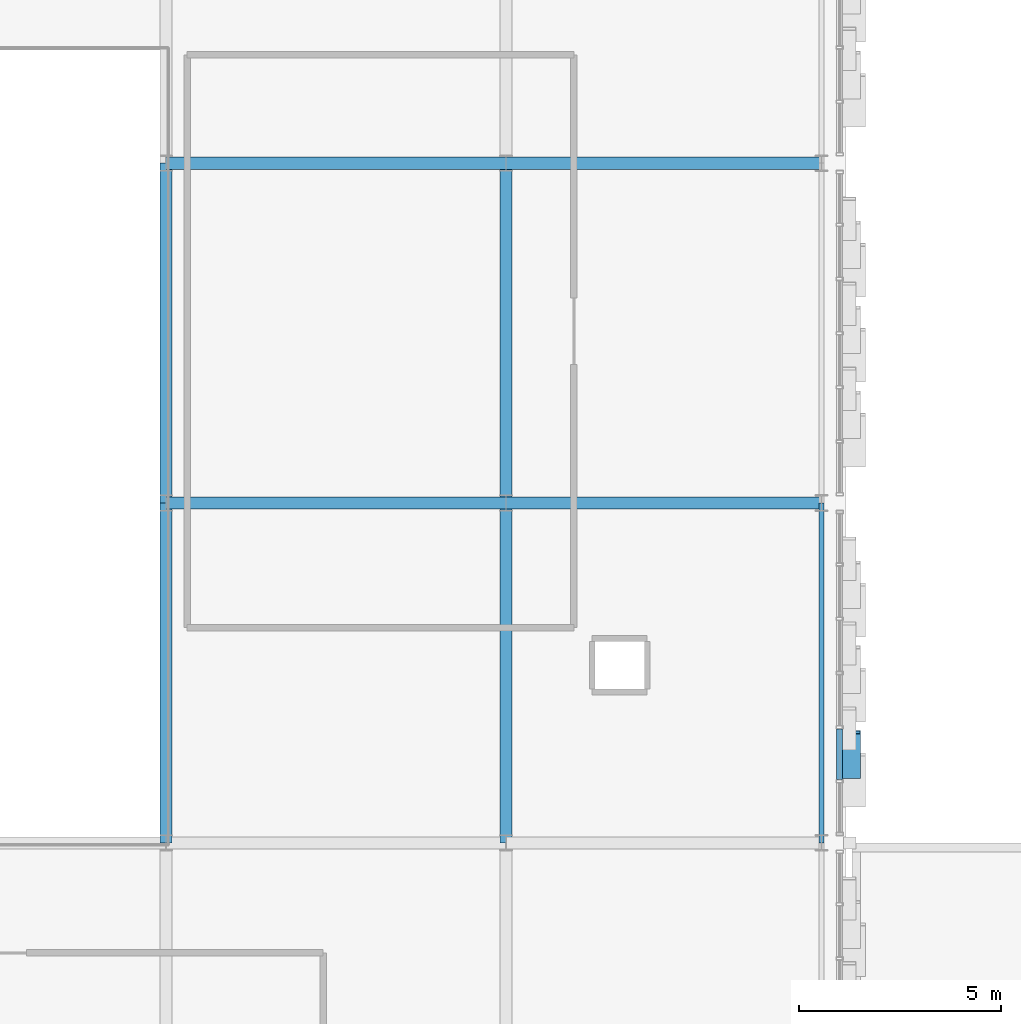
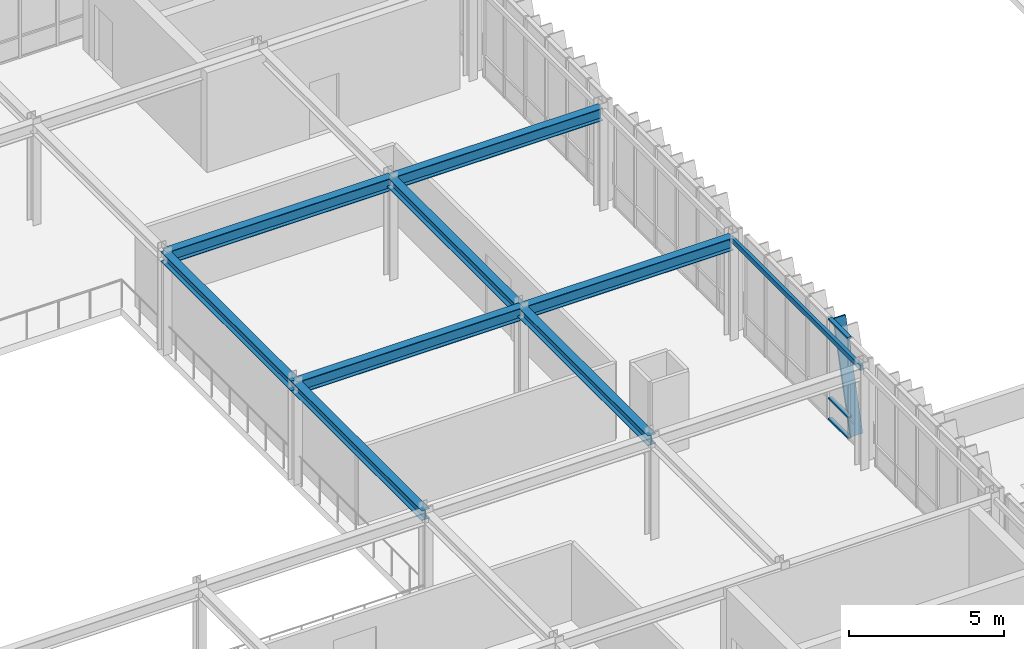
# One storey, part 54 of 123: 9 beams, 4 members, 1 element without a shape of its own.
"""IFC4 building model written with IfcOpenShell, lengths in metres."""

from ifc_helpers import new_model, si_unit, direction, frame, origin, origin_2d, place, context, subcontext, project, spatial, hollow_rectangle, i_section, extrude, material, layer, layer_set, material_profile, profile_set, type_object, element, aggregate, save


model = new_model("IFC4")

# Units and contexts
model_context = context("Model", 3, precision=1e-05, world=origin(), true_north=direction((0.0, 1.0)))
body_context = subcontext(model_context, "Body", "Model", "MODEL_VIEW")
ifc_project = project(units=[si_unit("LENGTHUNIT", "METRE"), si_unit("AREAUNIT", "SQUARE_METRE"), si_unit("VOLUMEUNIT", "CUBIC_METRE"), si_unit("PLANEANGLEUNIT", "RADIAN"), si_unit("MASSUNIT", "GRAM", prefix="KILO")], contexts=[model_context])

# Site, building, storey
site_placement = place(None, origin())
site = spatial("IfcSite", under=ifc_project, at=site_placement, CompositionType="ELEMENT")
building_placement = place(site_placement, origin())
building = spatial("IfcBuilding", under=site, at=building_placement, Name="Zayran Congress Hotel", CompositionType="ELEMENT")
storey_placement = place(building_placement, frame((0.0, 0.0, 15.0)))
storey = spatial("IfcBuildingStorey", under=building, at=storey_placement, Name="L03", CompositionType="ELEMENT", Elevation=15.0)

# Beams
ifc_material_1 = material(Name="Steel S355", Category="steel")
ifc_material_profile_1 = material_profile(ifc_material_1, i_section(OverallWidth=0.300048828125, OverallDepth=0.489990234375, WebThickness=0.011962890625, FlangeThickness=0.02294921875, at=origin_2d()), Name="HEA 500")
ifc_profile_set_1 = profile_set([ifc_material_profile_1], Name="Steel S355")
beam_type_1 = type_object("IfcBeamType", Name="TP-BM-05", PredefinedType="BEAM", material=ifc_profile_set_1)
beam_1_placement = place(storey_placement, frame((75.60009765625, 92.800048828125, 3.735107421875), z_axis=(1.0, 0.0, 0.0), x_axis=(0.0, 1.0, 0.0)))
element("IfcBeam", 1, at=beam_1_placement, inside=storey, type_object=beam_type_1, Name="BM-V1-L03-0823", PredefinedType="BEAM", context=body_context, shape_type="SweptSolid", body=[
    extrude(i_section(OverallWidth=0.300048828125, OverallDepth=0.489990234375, WebThickness=0.011962890625, FlangeThickness=0.02294921875, at=origin_2d()), origin(), (0.0, 0.0, 1.0), 8.39990234375),
])
beam_2_placement = place(storey_placement, frame((84.0, 92.800048828125, 3.735107421875), z_axis=(1.0, 0.0, 0.0), x_axis=(0.0, 1.0, 0.0)))
element("IfcBeam", 2, at=beam_2_placement, inside=storey, type_object=beam_type_1, Name="BM-V1-L03-0824", PredefinedType="BEAM", context=body_context, shape_type="SweptSolid", body=[
    extrude(i_section(OverallWidth=0.300048828125, OverallDepth=0.489990234375, WebThickness=0.011962890625, FlangeThickness=0.02294921875, at=origin_2d()), origin(), (0.0, 0.0, 1.0), 7.800048828125),
])
beam_3_placement = place(storey_placement, frame((75.60009765625, 101.199951171875, 3.735107421875), z_axis=(1.0, 0.0, 0.0), x_axis=(0.0, 1.0, 0.0)))
element("IfcBeam", 3, at=beam_3_placement, inside=storey, type_object=beam_type_1, Name="BM-V1-L03-0827", PredefinedType="BEAM", context=body_context, shape_type="SweptSolid", body=[
    extrude(i_section(OverallWidth=0.300048828125, OverallDepth=0.489990234375, WebThickness=0.011962890625, FlangeThickness=0.02294921875, at=origin_2d()), origin(), (0.0, 0.0, 1.0), 8.39990234375),
])
beam_4_placement = place(storey_placement, frame((84.0, 101.199951171875, 3.735107421875), z_axis=(1.0, 0.0, 0.0), x_axis=(0.0, 1.0, 0.0)))
element("IfcBeam", 4, at=beam_4_placement, inside=storey, type_object=beam_type_1, Name="BM-V1-L03-0828", PredefinedType="BEAM", context=body_context, shape_type="SweptSolid", body=[
    extrude(i_section(OverallWidth=0.300048828125, OverallDepth=0.489990234375, WebThickness=0.011962890625, FlangeThickness=0.02294921875, at=origin_2d()), origin(), (0.0, 0.0, 1.0), 7.800048828125),
])
ifc_material_profile_2 = material_profile(ifc_material_1, i_section(OverallWidth=0.300048828125, OverallDepth=0.389892578125, WebThickness=0.010986328125, FlangeThickness=0.01904296875, at=origin_2d()), Name="HEA 400")
ifc_profile_set_2 = profile_set([ifc_material_profile_2], Name="Steel S355")
beam_type_2 = type_object("IfcBeamType", Name="TP-BM-06", PredefinedType="BEAM", material=ifc_profile_set_2)
beam_5_placement = place(storey_placement, frame((75.60009765625, 84.39990234375, 3.784912109375), z_axis=(0.0, 1.0, 0.0), x_axis=(-1.0, 0.0, 0.0)))
element("IfcBeam", 5, at=beam_5_placement, inside=storey, type_object=beam_type_2, Name="BM-V1-L03-0882", PredefinedType="BEAM", context=body_context, shape_type="SweptSolid", body=[
    extrude(i_section(OverallWidth=0.300048828125, OverallDepth=0.389892578125, WebThickness=0.010986328125, FlangeThickness=0.01904296875, at=origin_2d()), origin(), (0.0, 0.0, 1.0), 8.400146484375),
])
beam_6_placement = place(storey_placement, frame((75.60009765625, 92.800048828125, 3.784912109375), z_axis=(0.0, 1.0, 0.0), x_axis=(-1.0, 0.0, 0.0)))
element("IfcBeam", 6, at=beam_6_placement, inside=storey, type_object=beam_type_2, Name="BM-V1-L03-0883", PredefinedType="BEAM", context=body_context, shape_type="SweptSolid", body=[
    extrude(i_section(OverallWidth=0.300048828125, OverallDepth=0.389892578125, WebThickness=0.010986328125, FlangeThickness=0.01904296875, at=origin_2d()), origin(), (0.0, 0.0, 1.0), 8.39990234375),
])
beam_7_placement = place(storey_placement, frame((84.0, 84.39990234375, 3.784912109375), z_axis=(0.0, 1.0, 0.0), x_axis=(-1.0, 0.0, 0.0)))
element("IfcBeam", 7, at=beam_7_placement, inside=storey, type_object=beam_type_2, Name="BM-V1-L03-0887", PredefinedType="BEAM", context=body_context, shape_type="SweptSolid", body=[
    extrude(i_section(OverallWidth=0.300048828125, OverallDepth=0.389892578125, WebThickness=0.010986328125, FlangeThickness=0.01904296875, at=origin_2d()), origin(), (0.0, 0.0, 1.0), 8.400146484375),
])
beam_8_placement = place(storey_placement, frame((84.0, 92.800048828125, 3.784912109375), z_axis=(0.0, 1.0, 0.0), x_axis=(-1.0, 0.0, 0.0)))
element("IfcBeam", 8, at=beam_8_placement, inside=storey, type_object=beam_type_2, Name="BM-V1-L03-0888", PredefinedType="BEAM", context=body_context, shape_type="SweptSolid", body=[
    extrude(i_section(OverallWidth=0.300048828125, OverallDepth=0.389892578125, WebThickness=0.010986328125, FlangeThickness=0.01904296875, at=origin_2d()), origin(), (0.0, 0.0, 1.0), 8.39990234375),
])
ifc_material_profile_3 = material_profile(ifc_material_1, hollow_rectangle(XDim=0.1201171875, YDim=0.199951171875, WallThickness=0.008056640625, at=origin_2d()), Name="RHS 200x120x8")
ifc_profile_set_3 = profile_set([ifc_material_profile_3], Name="Steel S355")
beam_type_3 = type_object("IfcBeamType", Name="TP-SP-02", PredefinedType="SPANDREL", material=ifc_profile_set_3)
beam_9_placement = place(storey_placement, frame((91.800048828125, 84.39990234375, 3.8798828125), z_axis=(0.0, 1.0, 0.0), x_axis=(-1.0, 0.0, 0.0)))
element("IfcBeam", 9, at=beam_9_placement, inside=storey, type_object=beam_type_3, Name="BM-V1-L03-0892", PredefinedType="SPANDREL", context=body_context, shape_type="SweptSolid", body=[
    extrude(hollow_rectangle(XDim=0.1201171875, YDim=0.199951171875, WallThickness=0.008056640625, at=origin_2d()), origin(), (0.0, 0.0, 1.0), 8.400146484375),
])

# Curtain wall, members
ifc_material_2 = material(Name="Anodised aluminium and low-E insulated glass", Category="aluminium")
ifc_layer = layer(ifc_material_2, 0.179931640625)
ifc_layer_set = layer_set([ifc_layer], Name="Anodised aluminium and low-E insulated glass")
curtain_wall_type = type_object("IfcCurtainWallType", Name="CW-V1E-L03-CW-41-8040-3980", PredefinedType="USERDEFINED", material=ifc_layer_set)
curtain_wall_placement = place(storey_placement, origin())
curtain_wall = element("IfcCurtainWall", 10, at=curtain_wall_placement, inside=storey, type_object=curtain_wall_type, Name="CW-V1E-L03-2", ObjectType="CURTAIN WALL", PredefinedType="USERDEFINED")
ifc_material_3 = material(Name="Anodised aluminium framing", Category="aluminium")
ifc_material_profile_4 = material_profile(ifc_material_3, hollow_rectangle(XDim=0.06005859375, YDim=0.14990234375, WallThickness=0.00390625, at=origin_2d()), Name="RHS 150x60x4")
ifc_profile_set_4 = profile_set([ifc_material_profile_4], Name="Anodised aluminium framing")
member_type_1 = type_object("IfcMemberType", Name="TP-CWT-01", PredefinedType="USERDEFINED", material=ifc_profile_set_4)
member_1_placement = place(storey_placement, frame((92.25, 85.9599609375, 0.030029296875), z_axis=(0.0, 1.0, 0.0), x_axis=(0.0, 0.0, 1.0)))
member_1 = element("IfcMember", 11, at=member_1_placement, type_object=member_type_1, Name="CW-V1E-L03-2-T01-0", ObjectType="TRANSOM", PredefinedType="USERDEFINED", context=body_context, shape_type="SweptSolid", body=[
    extrude(hollow_rectangle(XDim=0.06005859375, YDim=0.14990234375, WallThickness=0.00390625, at=origin_2d()), origin(), (0.0, 0.0, 1.0), 1.260009765625),
])
member_2_placement = place(storey_placement, frame((92.25, 85.9599609375, 0.840087890625), z_axis=(0.0, 1.0, 0.0), x_axis=(0.0, 0.0, 1.0)))
member_2 = element("IfcMember", 12, at=member_2_placement, type_object=member_type_1, Name="CW-V1E-L03-2-T01-1", ObjectType="TRANSOM", PredefinedType="USERDEFINED", context=body_context, shape_type="SweptSolid", body=[
    extrude(hollow_rectangle(XDim=0.06005859375, YDim=0.14990234375, WallThickness=0.00390625, at=origin_2d()), origin(), (0.0, 0.0, 1.0), 1.260009765625),
])
member_3_placement = place(storey_placement, frame((92.25, 85.9599609375, 3.949951171875), z_axis=(0.0, 1.0, 0.0), x_axis=(0.0, 0.0, 1.0)))
member_3 = element("IfcMember", 13, at=member_3_placement, type_object=member_type_1, Name="CW-V1E-L03-2-T01-2", ObjectType="TRANSOM", PredefinedType="USERDEFINED", context=body_context, shape_type="SweptSolid", body=[
    extrude(hollow_rectangle(XDim=0.06005859375, YDim=0.14990234375, WallThickness=0.00390625, at=origin_2d()), origin(), (0.0, 0.0, 1.0), 1.260009765625),
])
ifc_material_4 = material(Name="Warm bronze anodised aluminium", Category="aluminium")
ifc_material_profile_5 = material_profile(ifc_material_4, hollow_rectangle(XDim=0.080078125, YDim=0.449951171875, WallThickness=0.006103515625, at=origin_2d()), Name="RHS 450x80x6")
ifc_profile_set_5 = profile_set([ifc_material_profile_5], Name="Warm bronze anodised aluminium")
member_type_2 = type_object("IfcMemberType", Name="TP-RFN-02", PredefinedType="MULLION", material=ifc_profile_set_5)
member_4_placement = place(storey_placement, frame((92.534912109375, 86.030029296875, 0.0), z_axis=(0.0, 0.267241410526, 0.963629611677), x_axis=(0.0, -0.963629611677, 0.267241410526)))
member_4 = element("IfcMember", 14, at=member_4_placement, type_object=member_type_2, Name="Slanting Reed Mullion CW-41-02", PredefinedType="MULLION", context=body_context, shape_type="SweptSolid", body=[
    extrude(hollow_rectangle(XDim=0.080078125, YDim=0.449951171875, WallThickness=0.006103515625, at=origin_2d()), origin(), (0.0, 0.0, 1.0), 4.130126953125),
])
aggregate(curtain_wall, [member_1, member_2, member_3, member_4])

save(model, "model.ifc")
